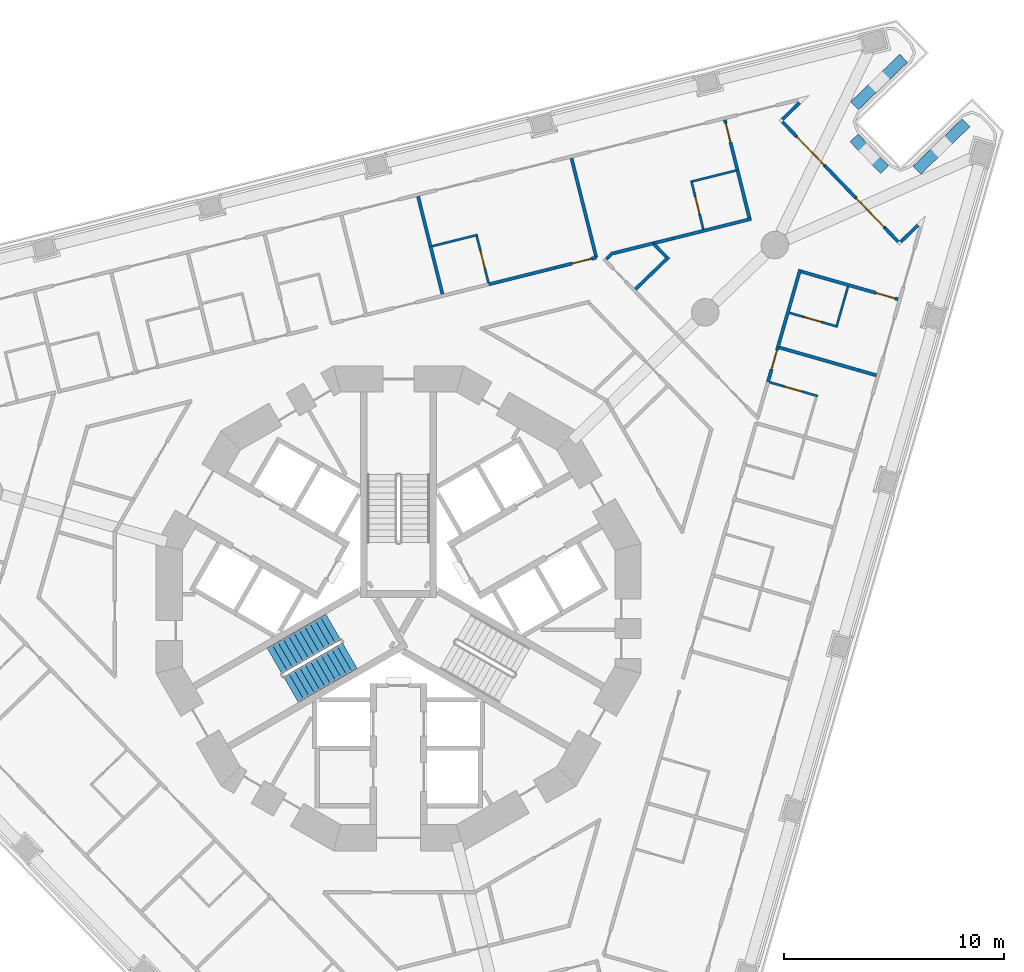
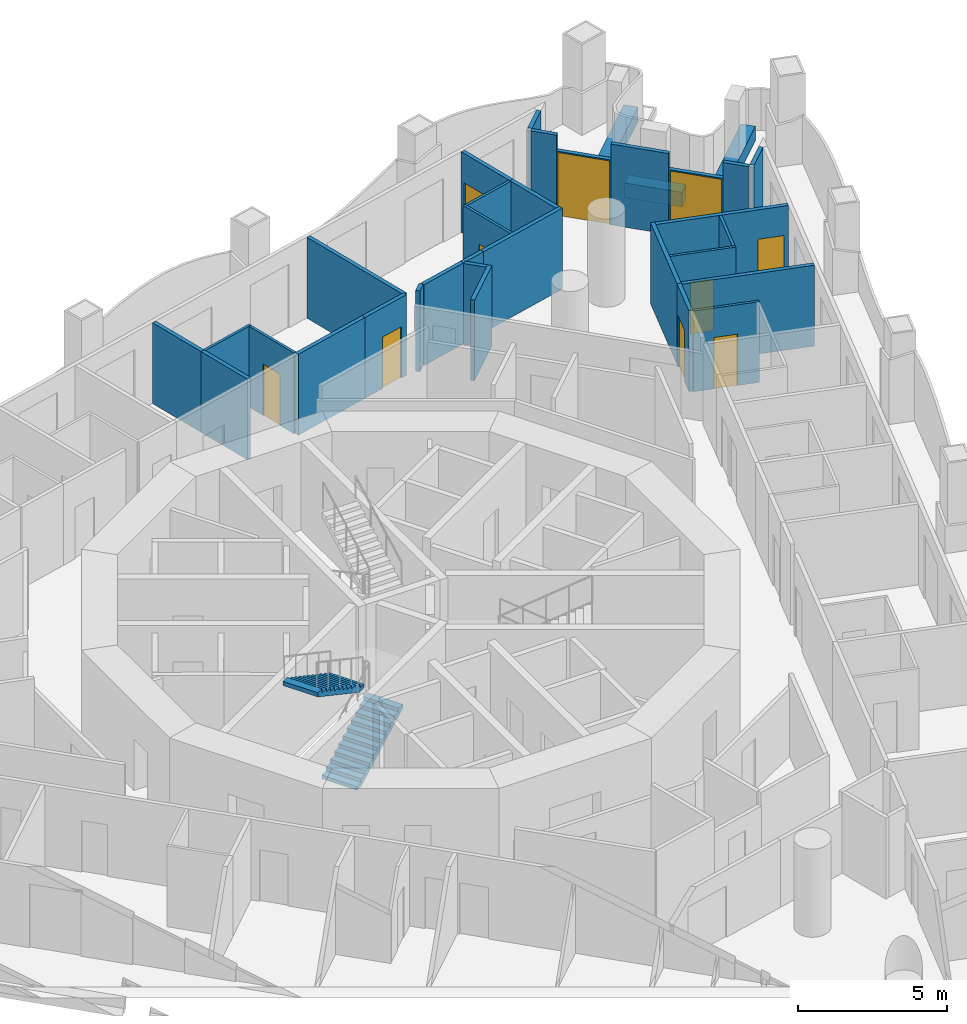
# One storey, part 11 of 20: 34 walls, 10 doors, 2 stair flights, 10 openings, 1 element without a shape of its own.
"""IFC4 building model written with IfcOpenShell, lengths in metres."""

from ifc_helpers import new_model, si_unit, direction, frame, frame_2d, origin, place, context, subcontext, project, spatial, polyline, rectangle, outline, extrude, material, layer, layer_set, type_object, element, fill, aggregate, save


model = new_model("IFC4")

# Units and contexts
model_context = context("Model", 3, precision=1e-05, world=origin(), true_north=direction((0.0, 1.0)))
body_context = subcontext(model_context, "Body", "Model", "MODEL_VIEW")
ifc_project = project(units=[si_unit("LENGTHUNIT", "METRE"), si_unit("AREAUNIT", "SQUARE_METRE"), si_unit("VOLUMEUNIT", "CUBIC_METRE"), si_unit("PLANEANGLEUNIT", "RADIAN"), si_unit("MASSUNIT", "GRAM", prefix="KILO")], contexts=[model_context])

# Site, building, storey
site_placement = place(None, origin())
site = spatial("IfcSite", under=ifc_project, at=site_placement, CompositionType="ELEMENT")
building_placement = place(site_placement, origin())
building = spatial("IfcBuilding", under=site, at=building_placement, Name="Trine Commons Tower", CompositionType="ELEMENT")
storey_placement = place(building_placement, frame((0.0, 0.0, 112.5)))
storey = spatial("IfcBuildingStorey", under=building, at=storey_placement, Name="L28", CompositionType="ELEMENT", Elevation=112.5)

# Walls
ifc_material_1 = material(Name="Aluminium-framed insulated wall panel", Category="aluminium")
ifc_layer_1 = layer(ifc_material_1, 0.14990234375)
ifc_layer_set_1 = layer_set([ifc_layer_1], Name="Aluminium-framed insulated wall panel")
wall_type_1 = type_object("IfcWallType", Name="Glazed frame wall 150, EI 60", PredefinedType="SOLIDWALL", material=ifc_layer_set_1)
wall_1_placement = place(storey_placement, frame((98.3076171875, 85.552490234375, 0.0), z_axis=(0.0, 0.0, 1.0), x_axis=(-0.719251336278, -0.694749966004, 0.0)))
element("IfcWall", 1, at=wall_1_placement, inside=storey, type_object=wall_type_1, Name="Glazed frame wall R5", PredefinedType="SOLIDWALL", context=body_context, shape_type="SweptSolid", body=[
    extrude(outline(polyline([(0.1494140625, 0.074951171875), (0.1494140625, -0.074951171875), (1.235107421875, -0.074951171875), (1.235107421875, 0.074951171875), (0.1494140625, 0.074951171875)])), origin(), (0.0, 0.0, 1.0), 3.300048828125),
])
wall_2_placement = place(storey_placement, frame((97.3408203125, 84.66748046875, 0.0), z_axis=(0.0, 0.0, 1.0), x_axis=(0.694668587965, -0.719329933267, 0.0)))
element("IfcWall", 2, at=wall_2_placement, inside=storey, type_object=wall_type_1, Name="Glazed frame wall P2.1", PredefinedType="SOLIDWALL", context=body_context, shape_type="SweptSolid", body=[
    extrude(outline(polyline([(0.110107421875, -0.074951171875), (1.0, -0.074951171875), (1.0, 0.074951171875), (0.110107421875, 0.074951171875), (0.110107421875, -0.074951171875)])), origin(), (0.0, 0.0, 1.0), 3.300048828125),
])

# Wall, opening, door
wall_3_placement = place(storey_placement, frame((98.035400390625, 83.9482421875, 0.0), z_axis=(0.0, 0.0, 1.0), x_axis=(0.694665586762, -0.719332831566, 0.0)))
wall_3 = element("IfcWall", 3, at=wall_3_placement, inside=storey, type_object=wall_type_1, Name="Glazed frame wall P2.2", PredefinedType="SOLIDWALL", context=body_context, shape_type="SweptSolid", body=[
    extrude(outline(polyline([(0.0, -0.074951171875), (1.89990234375, -0.074951171875), (1.89990234375, 0.074951171875), (0.0, 0.074951171875), (0.0, -0.074951171875)])), origin(), (0.0, 0.0, 1.0), 2.64990234375),
])
opening_1_placement = place(wall_3_placement, frame((0.050048828125, 0.0, 0.0)))
opening_1 = element("IfcOpeningElement", 4, at=opening_1_placement, cuts=wall_3, Name="Opening BD-3P2-01", PredefinedType="OPENING", context=body_context, shape_type="SweptSolid", body=[
    extrude(rectangle(XDim=1.800048828125, YDim=2.60009765625, at=frame_2d((0.89990234375, 1.300048828125))), frame((0.0, 0.0849609375, 0.0), z_axis=(0.0, -1.0, 0.0), x_axis=(1.0, 0.0, 0.0)), (0.0, 0.0, 1.0), 0.169921875),
])
ifc_material_2 = material(Name="Anodised aluminium frame with double glazing", Category="aluminium")
door_type_1 = type_object("IfcDoorType", Name="Sliding loggia door 1800x2600", OperationType="SLIDING_TO_LEFT", PredefinedType="DOOR", material=ifc_material_2)
door_1_placement = place(opening_1_placement, origin())
door_1 = element("IfcDoor", 5, at=door_1_placement, inside=storey, type_object=door_type_1, Name="Loggia door P2 1", OperationType="SLIDING_TO_LEFT", OverallHeight=2.60009765625, OverallWidth=1.800048828125, PredefinedType="DOOR", context=body_context, shape_type="SweptSolid", body=[
    extrude(rectangle(XDim=1.800048828125, YDim=2.60009765625, at=frame_2d((0.89990234375, 1.300048828125))), frame((0.0, 0.02490234375, 0.0), z_axis=(0.0, -1.0, 0.0), x_axis=(1.0, 0.0, 0.0)), (0.0, 0.0, 1.0), 0.050048828125),
])
fill(opening_1, door_1)

# Wall
wall_4_placement = place(storey_placement, frame((99.35546875, 82.581298828125, 0.0), z_axis=(0.0, 0.0, 1.0), x_axis=(0.694668587965, -0.719329933267, 0.0)))
element("IfcWall", 6, at=wall_4_placement, inside=storey, type_object=wall_type_1, Name="Glazed frame wall P2.3", PredefinedType="SOLIDWALL", context=body_context, shape_type="SweptSolid", body=[
    extrude(outline(polyline([(0.0, -0.074951171875), (2.0, -0.074951171875), (2.0, 0.074951171875), (0.0, 0.074951171875), (0.0, -0.074951171875)])), origin(), (0.0, 0.0, 1.0), 3.300048828125),
])

# Wall, opening, door
wall_5_placement = place(storey_placement, frame((100.74462890625, 81.142822265625, 0.0), z_axis=(0.0, 0.0, 1.0), x_axis=(0.694599099672, -0.719397032753, 0.0)))
wall_5 = element("IfcWall", 7, at=wall_5_placement, inside=storey, type_object=wall_type_1, Name="Glazed frame wall P2.4", PredefinedType="SOLIDWALL", context=body_context, shape_type="SweptSolid", body=[
    extrude(outline(polyline([(0.0, -0.074951171875), (1.89990234375, -0.074951171875), (1.89990234375, 0.074951171875), (0.0, 0.074951171875), (0.0, -0.074951171875)])), origin(), (0.0, 0.0, 1.0), 2.64990234375),
])
opening_2_placement = place(wall_5_placement, frame((0.050048828125, 0.0, 0.0)))
opening_2 = element("IfcOpeningElement", 8, at=opening_2_placement, cuts=wall_5, Name="Opening BD-3P2-02", PredefinedType="OPENING", context=body_context, shape_type="SweptSolid", body=[
    extrude(rectangle(XDim=1.800048828125, YDim=2.60009765625, at=frame_2d((0.89990234375, 1.300048828125))), frame((0.0, 0.0849609375, 0.0), z_axis=(0.0, -1.0, 0.0), x_axis=(1.0, 0.0, 0.0)), (0.0, 0.0, 1.0), 0.169921875),
])
door_2_placement = place(opening_2_placement, origin())
door_2 = element("IfcDoor", 9, at=door_2_placement, inside=storey, type_object=door_type_1, Name="Loggia door P2 2", OperationType="SLIDING_TO_LEFT", OverallHeight=2.60009765625, OverallWidth=1.800048828125, PredefinedType="DOOR", context=body_context, shape_type="SweptSolid", body=[
    extrude(rectangle(XDim=1.800048828125, YDim=2.60009765625, at=frame_2d((0.89990234375, 1.300048828125))), frame((0.0, 0.02490234375, 0.0), z_axis=(0.0, -1.0, 0.0), x_axis=(1.0, 0.0, 0.0)), (0.0, 0.0, 1.0), 0.050048828125),
])
fill(opening_2, door_2)

# Walls
wall_6_placement = place(storey_placement, frame((102.064453125, 79.77587890625, 0.0), z_axis=(0.0, 0.0, 1.0), x_axis=(0.694794898962, -0.719207931252, 0.0)))
element("IfcWall", 10, at=wall_6_placement, inside=storey, type_object=wall_type_1, Name="Glazed frame wall P2.5", PredefinedType="SOLIDWALL", context=body_context, shape_type="SweptSolid", body=[
    extrude(outline(polyline([(0.889892578125, 0.074951171875), (0.0, 0.074951171875), (0.0, -0.074951171875), (0.889892578125, -0.074951171875), (0.889892578125, 0.074951171875)])), origin(), (0.0, 0.0, 1.0), 3.300048828125),
])
wall_7_placement = place(storey_placement, frame((102.709716796875, 79.0576171875, 0.0), z_axis=(0.0, 0.0, 1.0), x_axis=(0.719342032924, 0.694656058542, 0.0)))
element("IfcWall", 11, at=wall_7_placement, inside=storey, type_object=wall_type_1, Name="Glazed frame wall R7", PredefinedType="SOLIDWALL", context=body_context, shape_type="SweptSolid", body=[
    extrude(outline(polyline([(0.110107421875, 0.074951171875), (0.110107421875, -0.074951171875), (1.19580078125, -0.074951171875), (1.19580078125, 0.074951171875), (0.110107421875, 0.074951171875)])), origin(), (0.0, 0.0, 1.0), 3.300048828125),
])
ifc_material_3 = material(Name="Planter trough, precast concrete C40/50", Category="concrete")
ifc_layer_2 = layer(ifc_material_3, 0.5)
ifc_layer_set_2 = layer_set([ifc_layer_2], Name="Planter trough, precast concrete C40/50")
wall_type_2 = type_object("IfcWallType", Name="Planter trough 500x600", PredefinedType="PARAPET", material=ifc_layer_set_2)
wall_8_placement = place(storey_placement, frame((102.923828125, 87.47314453125, 0.0), z_axis=(0.0, 0.0, 1.0), x_axis=(-0.719324109218, -0.694674618723, 0.0)))
element("IfcWall", 12, at=wall_8_placement, inside=storey, type_object=wall_type_2, Name="Planter 4", PredefinedType="PARAPET", context=body_context, shape_type="SweptSolid", body=[
    extrude(rectangle(XDim=3.10009765625, YDim=0.5, at=frame_2d((1.550048828125, 0.0))), origin(), (0.0, 0.0, 1.0), 0.60009765625),
])
wall_9_placement = place(storey_placement, frame((100.668212890625, 83.84912109375, 0.0), z_axis=(0.0, 0.0, 1.0), x_axis=(0.694731751498, -0.719268929859, 0.0)))
element("IfcWall", 13, at=wall_9_placement, inside=storey, type_object=wall_type_2, Name="Planter 5", PredefinedType="PARAPET", context=body_context, shape_type="SweptSolid", body=[
    extrude(rectangle(XDim=2.0, YDim=0.5, at=frame_2d((1.0, 0.0))), origin(), (0.0, 0.0, 1.0), 0.60009765625),
])
wall_10_placement = place(storey_placement, frame((103.528076171875, 82.385009765625, 0.0), z_axis=(0.0, 0.0, 1.0), x_axis=(0.719363462475, 0.694633866765, 0.0)))
element("IfcWall", 14, at=wall_10_placement, inside=storey, type_object=wall_type_2, Name="Planter 6", PredefinedType="PARAPET", context=body_context, shape_type="SweptSolid", body=[
    extrude(rectangle(XDim=3.099853515625, YDim=0.5, at=frame_2d((1.5498046875, 0.0))), origin(), (0.0, 0.0, 1.0), 0.60009765625),
])
ifc_material_4 = material(Name="Gypsum plasterboard on steel stud", Category="steel")
ifc_layer_3 = layer(ifc_material_4, 0.14990234375)
ifc_layer_set_3 = layer_set([ifc_layer_3], Name="Gypsum plasterboard on steel stud")
wall_type_3 = type_object("IfcWallType", Name="Unit and corridor wall 150 mm, EI 60", PredefinedType="PARTITIONING", material=ifc_layer_set_3)
wall_11_placement = place(storey_placement, frame((80.8857421875, 81.1982421875, 0.0), z_axis=(0.0, 0.0, 1.0), x_axis=(0.242047152862, -0.970264487545, 0.0)))
element("IfcWall", 15, at=wall_11_placement, inside=storey, type_object=wall_type_3, Name="Partition 072", PredefinedType="PARTITIONING", context=body_context, shape_type="SweptSolid", body=[
    extrude(rectangle(XDim=2.35205078125, YDim=0.14990234375, at=frame_2d((1.176025390625, 0.0))), origin(), (0.0, 0.0, 1.0), 3.300048828125),
])
wall_12_placement = place(storey_placement, frame((81.452880859375, 78.924072265625, 0.0), z_axis=(0.0, 0.0, 1.0), x_axis=(0.241891147117, -0.970303392216, 0.0)))
element("IfcWall", 16, at=wall_12_placement, inside=storey, type_object=wall_type_3, Name="Partition 076", PredefinedType="PARTITIONING", context=body_context, shape_type="SweptSolid", body=[
    extrude(rectangle(XDim=2.228515625, YDim=0.14990234375, at=frame_2d((1.1142578125, 0.0))), origin(), (0.0, 0.0, 1.0), 3.300048828125),
])
wall_13_placement = place(storey_placement, frame((84.092041015625, 77.2080078125, 0.0), z_axis=(0.0, 0.0, 1.0), x_axis=(0.970276558839, 0.24199875902, 0.0)))
element("IfcWall", 17, at=wall_13_placement, inside=storey, type_object=wall_type_3, Name="Partition 087", PredefinedType="PARTITIONING", context=body_context, shape_type="SweptSolid", body=[
    extrude(rectangle(XDim=3.103271484375, YDim=0.14990234375, at=frame_2d((1.5517578125, 0.0))), origin(), (0.0, 0.0, 1.0), 3.300048828125),
])

# Wall, opening, door
wall_14_placement = place(storey_placement, frame((87.10302734375, 77.958984375, 0.0), z_axis=(0.0, 0.0, 1.0), x_axis=(0.970439241323, 0.241345559105, 0.0)))
wall_14 = element("IfcWall", 18, at=wall_14_placement, inside=storey, type_object=wall_type_3, Name="Partition 097", PredefinedType="PARTITIONING", context=body_context, shape_type="SweptSolid", body=[
    extrude(rectangle(XDim=1.93115234375, YDim=0.14990234375, at=frame_2d((0.965576171875, 0.0))), origin(), (0.0, 0.0, 1.0), 3.300048828125),
])
opening_3_placement = place(wall_14_placement, frame((0.804443359375, 0.0, 0.0)))
opening_3 = element("IfcOpeningElement", 19, at=opening_3_placement, cuts=wall_14, Name="Opening D-3C14", PredefinedType="OPENING", context=body_context, shape_type="SweptSolid", body=[
    extrude(rectangle(XDim=0.89990234375, YDim=2.10009765625, at=frame_2d((0.449951171875, 1.050048828125))), frame((0.0, 0.0849609375, 0.0), z_axis=(0.0, -1.0, 0.0), x_axis=(1.0, 0.0, 0.0)), (0.0, 0.0, 1.0), 0.169921875),
])
ifc_material_5 = material(Name="Timber fire door set", Category="wood")
door_type_2 = type_object("IfcDoorType", Name="Bedroom door 900 x 2100, FD30S", OperationType="NOTDEFINED", PredefinedType="DOOR", material=ifc_material_5)
door_3_placement = place(opening_3_placement, origin())
door_3 = element("IfcDoor", 20, at=door_3_placement, inside=storey, type_object=door_type_2, Name="Door D-3C14", OperationType="SINGLE_SWING_RIGHT", OverallHeight=2.10009765625, OverallWidth=0.89990234375, PredefinedType="DOOR", context=body_context, shape_type="SweptSolid", body=[
    extrude(rectangle(XDim=0.89990234375, YDim=2.10009765625, at=frame_2d((0.449951171875, 1.050048828125))), frame((0.0, 0.02490234375, 0.0), z_axis=(0.0, -1.0, 0.0), x_axis=(1.0, 0.0, 0.0)), (0.0, 0.0, 1.0), 0.050048828125),
])
fill(opening_3, door_3)

# Walls
wall_15_placement = place(storey_placement, frame((87.8486328125, 82.93408203125, 0.0), z_axis=(0.0, 0.0, 1.0), x_axis=(0.24192986462, -0.970293739341, 0.0)))
element("IfcWall", 21, at=wall_15_placement, inside=storey, type_object=wall_type_3, Name="Partition 103", PredefinedType="PARTITIONING", context=body_context, shape_type="SweptSolid", body=[
    extrude(rectangle(XDim=4.64697265625, YDim=0.14990234375, at=frame_2d((2.323486328125, 0.0))), origin(), (0.0, 0.0, 1.0), 3.300048828125),
])
wall_16_placement = place(storey_placement, frame((89.431884765625, 78.354248046875, 0.0), z_axis=(0.0, 0.0, 1.0), x_axis=(0.71857486408, 0.695449613352, 0.0)))
element("IfcWall", 22, at=wall_16_placement, inside=storey, type_object=wall_type_3, Name="Partition 113", PredefinedType="PARTITIONING", context=body_context, shape_type="SweptSolid", body=[
    extrude(rectangle(XDim=0.432861328125, YDim=0.14990234375, at=frame_2d((0.21630859375, 0.0))), origin(), (0.0, 0.0, 1.0), 3.300048828125),
])
wall_17_placement = place(storey_placement, frame((89.76171875, 78.62109375, 0.0), z_axis=(0.0, 0.0, 1.0), x_axis=(0.970212352615, 0.242256043958, 0.0)))
element("IfcWall", 23, at=wall_17_placement, inside=storey, type_object=wall_type_3, Name="Partition 116", PredefinedType="PARTITIONING", context=body_context, shape_type="SweptSolid", body=[
    extrude(rectangle(XDim=1.849365234375, YDim=0.14990234375, at=frame_2d((0.9248046875, 0.0))), origin(), (0.0, 0.0, 1.0), 3.300048828125),
])
wall_18_placement = place(storey_placement, frame((90.751953125, 76.987060546875, 0.0), z_axis=(0.0, 0.0, 1.0), x_axis=(0.719152982376, 0.694851774079, 0.0)))
element("IfcWall", 24, at=wall_18_placement, inside=storey, type_object=wall_type_3, Name="Partition 120", PredefinedType="PARTITIONING", context=body_context, shape_type="SweptSolid", body=[
    extrude(rectangle(XDim=2.099609375, YDim=0.14990234375, at=frame_2d((1.0498046875, 0.0))), origin(), (0.0, 0.0, 1.0), 3.300048828125),
])
wall_19_placement = place(storey_placement, frame((91.608154296875, 79.01513671875, 0.0), z_axis=(0.0, 0.0, 1.0), x_axis=(0.694771305492, -0.71923072311, 0.0)))
element("IfcWall", 25, at=wall_19_placement, inside=storey, type_object=wall_type_3, Name="Partition 123", PredefinedType="PARTITIONING", context=body_context, shape_type="SweptSolid", body=[
    extrude(rectangle(XDim=0.78857421875, YDim=0.14990234375, at=frame_2d((0.394287109375, 0.0))), origin(), (0.0, 0.0, 1.0), 3.300048828125),
])
wall_20_placement = place(storey_placement, frame((91.555908203125, 79.069091796875, 0.0), z_axis=(0.0, 0.0, 1.0), x_axis=(0.970312917643, 0.241852934351, 0.0)))
element("IfcWall", 26, at=wall_20_placement, inside=storey, type_object=wall_type_3, Name="Partition 124", PredefinedType="PARTITIONING", context=body_context, shape_type="SweptSolid", body=[
    extrude(rectangle(XDim=0.92578125, YDim=0.14990234375, at=frame_2d((0.462890625, 0.0))), origin(), (0.0, 0.0, 1.0), 3.300048828125),
])
wall_21_placement = place(storey_placement, frame((92.4541015625, 79.29296875, 0.0), z_axis=(0.0, 0.0, 1.0), x_axis=(0.970299100739, 0.241908360967, 0.0)))
element("IfcWall", 27, at=wall_21_placement, inside=storey, type_object=wall_type_3, Name="Partition 126", PredefinedType="PARTITIONING", context=body_context, shape_type="SweptSolid", body=[
    extrude(rectangle(XDim=3.66357421875, YDim=0.14990234375, at=frame_2d((1.831787109375, 0.0))), origin(), (0.0, 0.0, 1.0), 3.300048828125),
])

# Wall, opening, door
wall_22_placement = place(storey_placement, frame((94.811767578125, 84.671142578125, 0.0), z_axis=(0.0, 0.0, 1.0), x_axis=(0.24200944289, -0.97027389409, 0.0)))
wall_22 = element("IfcWall", 28, at=wall_22_placement, inside=storey, type_object=wall_type_3, Name="Partition 140", PredefinedType="PARTITIONING", context=body_context, shape_type="SweptSolid", body=[
    extrude(rectangle(XDim=2.40185546875, YDim=0.14990234375, at=frame_2d((1.200927734375, 0.0))), origin(), (0.0, 0.0, 1.0), 3.300048828125),
])
opening_4_placement = place(wall_22_placement, frame((0.14990234375, 0.0, 0.0)))
opening_4 = element("IfcOpeningElement", 29, at=opening_4_placement, cuts=wall_22, Name="Opening D-3C15", PredefinedType="OPENING", context=body_context, shape_type="SweptSolid", body=[
    extrude(rectangle(XDim=0.89990234375, YDim=2.10009765625, at=frame_2d((0.449951171875, 1.050048828125))), frame((0.0, 0.0849609375, 0.0), z_axis=(0.0, -1.0, 0.0), x_axis=(1.0, 0.0, 0.0)), (0.0, 0.0, 1.0), 0.169921875),
])
door_4_placement = place(opening_4_placement, frame((0.89990234375, 0.0, 0.0), z_axis=(0.0, 0.0, 1.0), x_axis=(-1.0, 0.0, 0.0)))
door_4 = element("IfcDoor", 30, at=door_4_placement, inside=storey, type_object=door_type_2, Name="Door D-3C15", OperationType="SINGLE_SWING_RIGHT", OverallHeight=2.10009765625, OverallWidth=0.89990234375, PredefinedType="DOOR", context=body_context, shape_type="SweptSolid", body=[
    extrude(rectangle(XDim=0.89990234375, YDim=2.10009765625, at=frame_2d((0.449951171875, 1.050048828125))), frame((0.0, 0.02490234375, 0.0), z_axis=(0.0, -1.0, 0.0), x_axis=(1.0, 0.0, 0.0)), (0.0, 0.0, 1.0), 0.050048828125),
])
fill(opening_4, door_4)

# Wall
wall_23_placement = place(storey_placement, frame((95.37890625, 82.39697265625, 0.0), z_axis=(0.0, 0.0, 1.0), x_axis=(0.241814032712, -0.970322613147, 0.0)))
element("IfcWall", 31, at=wall_23_placement, inside=storey, type_object=wall_type_3, Name="Partition 142", PredefinedType="PARTITIONING", context=body_context, shape_type="SweptSolid", body=[
    extrude(rectangle(XDim=2.229248046875, YDim=0.14990234375, at=frame_2d((1.11474609375, 0.0))), origin(), (0.0, 0.0, 1.0), 3.300048828125),
])

# Wall, opening, door
wall_24_placement = place(storey_placement, frame((96.764892578125, 72.781982421875, 0.0), z_axis=(0.0, 0.0, 1.0), x_axis=(0.275428171862, 0.961321653842, 0.0)))
wall_24 = element("IfcWall", 32, at=wall_24_placement, inside=storey, type_object=wall_type_3, Name="Partition 149", PredefinedType="PARTITIONING", context=body_context, shape_type="SweptSolid", body=[
    extrude(rectangle(XDim=1.6416015625, YDim=0.14990234375, at=frame_2d((0.82080078125, 0.0))), origin(), (0.0, 0.0, 1.0), 3.300048828125),
])
opening_5_placement = place(wall_24_placement, frame((0.591552734375, 0.0, 0.0)))
opening_5 = element("IfcOpeningElement", 33, at=opening_5_placement, cuts=wall_24, Name="Opening D-3C17", PredefinedType="OPENING", context=body_context, shape_type="SweptSolid", body=[
    extrude(rectangle(XDim=0.89990234375, YDim=2.10009765625, at=frame_2d((0.449951171875, 1.050048828125))), frame((0.0, 0.0849609375, 0.0), z_axis=(0.0, -1.0, 0.0), x_axis=(1.0, 0.0, 0.0)), (0.0, 0.0, 1.0), 0.169921875),
])
door_5_placement = place(opening_5_placement, frame((0.89990234375, 0.0, 0.0), z_axis=(0.0, 0.0, 1.0), x_axis=(-1.0, 0.0, 0.0)))
door_5 = element("IfcDoor", 34, at=door_5_placement, inside=storey, type_object=door_type_2, Name="Door D-3C17", OperationType="SINGLE_SWING_LEFT", OverallHeight=2.10009765625, OverallWidth=0.89990234375, PredefinedType="DOOR", context=body_context, shape_type="SweptSolid", body=[
    extrude(rectangle(XDim=0.89990234375, YDim=2.10009765625, at=frame_2d((0.449951171875, 1.050048828125))), frame((0.0, 0.02490234375, 0.0), z_axis=(0.0, -1.0, 0.0), x_axis=(1.0, 0.0, 0.0)), (0.0, 0.0, 1.0), 0.050048828125),
])
fill(opening_5, door_5)

# Walls
wall_25_placement = place(storey_placement, frame((97.217041015625, 74.360107421875, 0.0), z_axis=(0.0, 0.0, 1.0), x_axis=(0.275601093683, 0.961272093198, 0.0)))
element("IfcWall", 35, at=wall_25_placement, inside=storey, type_object=wall_type_3, Name="Partition 151", PredefinedType="PARTITIONING", context=body_context, shape_type="SweptSolid", body=[
    extrude(rectangle(XDim=3.663818359375, YDim=0.14990234375, at=frame_2d((1.83203125, 0.0))), origin(), (0.0, 0.0, 1.0), 3.300048828125),
])
wall_26_placement = place(storey_placement, frame((97.2890625, 74.33935546875, 0.0), z_axis=(0.0, 0.0, 1.0), x_axis=(0.961269673231, -0.275609534171, 0.0)))
element("IfcWall", 36, at=wall_26_placement, inside=storey, type_object=wall_type_3, Name="Partition 152", PredefinedType="PARTITIONING", context=body_context, shape_type="SweptSolid", body=[
    extrude(rectangle(XDim=4.572509765625, YDim=0.14990234375, at=frame_2d((2.2861328125, 0.0))), origin(), (0.0, 0.0, 1.0), 3.300048828125),
])

# Wall, opening, door
wall_27_placement = place(storey_placement, frame((98.278076171875, 77.789306640625, 0.0), z_axis=(0.0, 0.0, 1.0), x_axis=(0.961269673231, -0.275609534171, 0.0)))
wall_27 = element("IfcWall", 37, at=wall_27_placement, inside=storey, type_object=wall_type_3, Name="Partition 155", PredefinedType="PARTITIONING", context=body_context, shape_type="SweptSolid", body=[
    extrude(rectangle(XDim=4.572509765625, YDim=0.14990234375, at=frame_2d((2.2861328125, 0.0))), origin(), (0.0, 0.0, 1.0), 3.300048828125),
])
opening_6_placement = place(wall_27_placement, frame((3.522705078125, 0.0, 0.0)))
opening_6 = element("IfcOpeningElement", 38, at=opening_6_placement, cuts=wall_27, Name="Opening D-3C16", PredefinedType="OPENING", context=body_context, shape_type="SweptSolid", body=[
    extrude(rectangle(XDim=0.89990234375, YDim=2.10009765625, at=frame_2d((0.449951171875, 1.050048828125))), frame((0.0, 0.0849609375, 0.0), z_axis=(0.0, -1.0, 0.0), x_axis=(1.0, 0.0, 0.0)), (0.0, 0.0, 1.0), 0.169921875),
])
door_6_placement = place(opening_6_placement, frame((0.89990234375, 0.0, 0.0), z_axis=(0.0, 0.0, 1.0), x_axis=(-1.0, 0.0, 0.0)))
door_6 = element("IfcDoor", 39, at=door_6_placement, inside=storey, type_object=door_type_2, Name="Door D-3C16", OperationType="SINGLE_SWING_LEFT", OverallHeight=2.10009765625, OverallWidth=0.89990234375, PredefinedType="DOOR", context=body_context, shape_type="SweptSolid", body=[
    extrude(rectangle(XDim=0.89990234375, YDim=2.10009765625, at=frame_2d((0.449951171875, 1.050048828125))), frame((0.0, 0.02490234375, 0.0), z_axis=(0.0, -1.0, 0.0), x_axis=(1.0, 0.0, 0.0)), (0.0, 0.0, 1.0), 0.050048828125),
])
fill(opening_6, door_6)

# Wall
ifc_layer_4 = layer(ifc_material_4, 0.10009765625)
ifc_layer_set_4 = layer_set([ifc_layer_4], Name="Gypsum plasterboard on steel stud")
wall_type_4 = type_object("IfcWallType", Name="Unit partition 100 mm, no rating", PredefinedType="PARTITIONING", material=ifc_layer_set_4)
wall_28_placement = place(storey_placement, frame((81.52587890625, 78.938232421875, 0.0), z_axis=(0.0, 0.0, 1.0), x_axis=(0.970196545564, 0.242319340904, 0.0)))
element("IfcWall", 40, at=wall_28_placement, inside=storey, type_object=wall_type_4, Name="Partition 075", PredefinedType="PARTITIONING", context=body_context, shape_type="SweptSolid", body=[
    extrude(rectangle(XDim=2.124755859375, YDim=0.10009765625, at=frame_2d((1.0625, 0.0))), origin(), (0.0, 0.0, 1.0), 3.300048828125),
])

# Wall, opening, door
wall_29_placement = place(storey_placement, frame((83.551025390625, 79.392578125, 0.0), z_axis=(0.0, 0.0, 1.0), x_axis=(0.242165948891, -0.970234844353, 0.0)))
wall_29 = element("IfcWall", 41, at=wall_29_placement, inside=storey, type_object=wall_type_4, Name="Partition 082", PredefinedType="PARTITIONING", context=body_context, shape_type="SweptSolid", body=[
    extrude(rectangle(XDim=2.175537109375, YDim=0.10009765625, at=frame_2d((1.087890625, 0.0))), origin(), (0.0, 0.0, 1.0), 3.300048828125),
])
opening_7_placement = place(wall_29_placement, frame((0.687744140625, 0.0, 0.0)))
opening_7 = element("IfcOpeningElement", 42, at=opening_7_placement, cuts=wall_29, Name="Opening D-3C49", PredefinedType="OPENING", context=body_context, shape_type="SweptSolid", body=[
    extrude(rectangle(XDim=0.800048828125, YDim=2.10009765625, at=frame_2d((0.39990234375, 1.050048828125))), frame((0.0, 0.06005859375, 0.0), z_axis=(0.0, -1.0, 0.0), x_axis=(1.0, 0.0, 0.0)), (0.0, 0.0, 1.0), 0.1201171875),
])
ifc_material_6 = material(Name="Painted timber", Category="wood")
door_type_3 = type_object("IfcDoorType", Name="Internal door 800 x 2100, NOT RATED", OperationType="NOTDEFINED", PredefinedType="DOOR", material=ifc_material_6)
door_7_placement = place(opening_7_placement, origin())
door_7 = element("IfcDoor", 43, at=door_7_placement, inside=storey, type_object=door_type_3, Name="Door D-3C49", OperationType="SINGLE_SWING_RIGHT", OverallHeight=2.10009765625, OverallWidth=0.800048828125, PredefinedType="DOOR", context=body_context, shape_type="SweptSolid", body=[
    extrude(rectangle(XDim=0.800048828125, YDim=2.10009765625, at=frame_2d((0.39990234375, 1.050048828125))), frame((0.0, 0.02490234375, 0.0), z_axis=(0.0, -1.0, 0.0), x_axis=(1.0, 0.0, 0.0)), (0.0, 0.0, 1.0), 0.050048828125),
])
fill(opening_7, door_7)

wall_30_placement = place(storey_placement, frame((93.281982421875, 81.92041015625, 0.0), z_axis=(0.0, 0.0, 1.0), x_axis=(0.241777706381, -0.970331665307, 0.0)))
wall_30 = element("IfcWall", 44, at=wall_30_placement, inside=storey, type_object=wall_type_4, Name="Partition 132", PredefinedType="PARTITIONING", context=body_context, shape_type="SweptSolid", body=[
    extrude(rectangle(XDim=2.27392578125, YDim=0.10009765625, at=frame_2d((1.136962890625, 0.0))), origin(), (0.0, 0.0, 1.0), 3.300048828125),
])
opening_8_placement = place(wall_30_placement, frame((0.76220703125, 0.0, 0.0)))
opening_8 = element("IfcOpeningElement", 45, at=opening_8_placement, cuts=wall_30, Name="Opening D-3C50", PredefinedType="OPENING", context=body_context, shape_type="SweptSolid", body=[
    extrude(rectangle(XDim=0.800048828125, YDim=2.10009765625, at=frame_2d((0.39990234375, 1.050048828125))), frame((0.0, 0.06005859375, 0.0), z_axis=(0.0, -1.0, 0.0), x_axis=(1.0, 0.0, 0.0)), (0.0, 0.0, 1.0), 0.1201171875),
])
door_8_placement = place(opening_8_placement, frame((0.800048828125, 0.0, 0.0), z_axis=(0.0, 0.0, 1.0), x_axis=(-1.0, 0.0, 0.0)))
door_8 = element("IfcDoor", 46, at=door_8_placement, inside=storey, type_object=door_type_3, Name="Door D-3C50", OperationType="SINGLE_SWING_LEFT", OverallHeight=2.10009765625, OverallWidth=0.800048828125, PredefinedType="DOOR", context=body_context, shape_type="SweptSolid", body=[
    extrude(rectangle(XDim=0.800048828125, YDim=2.10009765625, at=frame_2d((0.39990234375, 1.050048828125))), frame((0.0, 0.02490234375, 0.0), z_axis=(0.0, -1.0, 0.0), x_axis=(1.0, 0.0, 0.0)), (0.0, 0.0, 1.0), 0.050048828125),
])
fill(opening_8, door_8)

# Wall
wall_31_placement = place(storey_placement, frame((93.342529296875, 81.884033203125, 0.0), z_axis=(0.0, 0.0, 1.0), x_axis=(0.970192124519, 0.242337041168, 0.0)))
element("IfcWall", 47, at=wall_31_placement, inside=storey, type_object=wall_type_4, Name="Partition 133", PredefinedType="PARTITIONING", context=body_context, shape_type="SweptSolid", body=[
    extrude(rectangle(XDim=2.02490234375, YDim=0.10009765625, at=frame_2d((1.012451171875, 0.0))), origin(), (0.0, 0.0, 1.0), 3.300048828125),
])

# Wall, opening, door
wall_32_placement = place(storey_placement, frame((96.838134765625, 72.765380859375, 0.0), z_axis=(0.0, 0.0, 1.0), x_axis=(0.961219536458, -0.275784340983, 0.0)))
wall_32 = element("IfcWall", 48, at=wall_32_placement, inside=storey, type_object=wall_type_4, Name="Partition 150", PredefinedType="PARTITIONING", context=body_context, shape_type="SweptSolid", body=[
    extrude(rectangle(XDim=2.274169921875, YDim=0.10009765625, at=frame_2d((1.13720703125, 0.0))), origin(), (0.0, 0.0, 1.0), 3.300048828125),
])
opening_9_placement = place(wall_32_placement, frame((0.7119140625, 0.0, 0.0)))
opening_9 = element("IfcOpeningElement", 49, at=opening_9_placement, cuts=wall_32, Name="Opening D-3C52", PredefinedType="OPENING", context=body_context, shape_type="SweptSolid", body=[
    extrude(rectangle(XDim=0.800048828125, YDim=2.10009765625, at=frame_2d((0.39990234375, 1.050048828125))), frame((0.0, 0.06005859375, 0.0), z_axis=(0.0, -1.0, 0.0), x_axis=(1.0, 0.0, 0.0)), (0.0, 0.0, 1.0), 0.1201171875),
])
door_9_placement = place(opening_9_placement, origin())
door_9 = element("IfcDoor", 50, at=door_9_placement, inside=storey, type_object=door_type_3, Name="Door D-3C52", OperationType="SINGLE_SWING_LEFT", OverallHeight=2.10009765625, OverallWidth=0.800048828125, PredefinedType="DOOR", context=body_context, shape_type="SweptSolid", body=[
    extrude(rectangle(XDim=0.800048828125, YDim=2.10009765625, at=frame_2d((0.39990234375, 1.050048828125))), frame((0.0, 0.02490234375, 0.0), z_axis=(0.0, -1.0, 0.0), x_axis=(1.0, 0.0, 0.0)), (0.0, 0.0, 1.0), 0.050048828125),
])
fill(opening_9, door_9)

wall_33_placement = place(storey_placement, frame((97.7412109375, 75.914306640625, 0.0), z_axis=(0.0, 0.0, 1.0), x_axis=(0.961244019441, -0.27569899363, 0.0)))
wall_33 = element("IfcWall", 51, at=wall_33_placement, inside=storey, type_object=wall_type_4, Name="Partition 153", PredefinedType="PARTITIONING", context=body_context, shape_type="SweptSolid", body=[
    extrude(rectangle(XDim=2.27490234375, YDim=0.10009765625, at=frame_2d((1.137451171875, 0.0))), origin(), (0.0, 0.0, 1.0), 3.300048828125),
])
opening_10_placement = place(wall_33_placement, frame((0.71240234375, 0.0, 0.0)))
opening_10 = element("IfcOpeningElement", 52, at=opening_10_placement, cuts=wall_33, Name="Opening D-3C51", PredefinedType="OPENING", context=body_context, shape_type="SweptSolid", body=[
    extrude(rectangle(XDim=0.800048828125, YDim=2.10009765625, at=frame_2d((0.39990234375, 1.050048828125))), frame((0.0, 0.06005859375, 0.0), z_axis=(0.0, -1.0, 0.0), x_axis=(1.0, 0.0, 0.0)), (0.0, 0.0, 1.0), 0.1201171875),
])
door_10_placement = place(opening_10_placement, frame((0.800048828125, 0.0, 0.0), z_axis=(0.0, 0.0, 1.0), x_axis=(-1.0, 0.0, 0.0)))
door_10 = element("IfcDoor", 53, at=door_10_placement, inside=storey, type_object=door_type_3, Name="Door D-3C51", OperationType="SINGLE_SWING_RIGHT", OverallHeight=2.10009765625, OverallWidth=0.800048828125, PredefinedType="DOOR", context=body_context, shape_type="SweptSolid", body=[
    extrude(rectangle(XDim=0.800048828125, YDim=2.10009765625, at=frame_2d((0.39990234375, 1.050048828125))), frame((0.0, 0.02490234375, 0.0), z_axis=(0.0, -1.0, 0.0), x_axis=(1.0, 0.0, 0.0)), (0.0, 0.0, 1.0), 0.050048828125),
])
fill(opening_10, door_10)

# Wall
wall_34_placement = place(storey_placement, frame((99.893798828125, 75.34912109375, 0.0), z_axis=(0.0, 0.0, 1.0), x_axis=(0.275374633487, 0.961336991503, 0.0)))
element("IfcWall", 54, at=wall_34_placement, inside=storey, type_object=wall_type_4, Name="Partition 156", PredefinedType="PARTITIONING", context=body_context, shape_type="SweptSolid", body=[
    extrude(rectangle(XDim=1.825439453125, YDim=0.10009765625, at=frame_2d((0.91259765625, 0.0))), origin(), (0.0, 0.0, 1.0), 3.300048828125),
])

# Stair, stair flights
ifc_material_7 = material(Name="Concrete C50/60", Category="concrete")
stair_type = type_object("IfcStairType", Name="Exit stair, dog-leg, 24 risers of 150 mm", PredefinedType="HALF_TURN_STAIR", material=ifc_material_7)
stair_placement = place(storey_placement, origin())
stair = element("IfcStair", 55, at=stair_placement, inside=storey, type_object=stair_type, Name="L28 Exit stair ST2A", PredefinedType="HALF_TURN_STAIR")
stair_flight_type = type_object("IfcStairFlightType", Name="Stair flight, 1350 wide, 12 risers of 150 mm", PredefinedType="STRAIGHT", material=ifc_material_7)
stair_flight_1_placement = place(storey_placement, frame((75.11767578125, 58.815185546875, 0.0), z_axis=(0.0, 0.0, 1.0), x_axis=(0.866025403784, 0.5, 0.0)))
stair_flight_1 = element("IfcStairFlight", 56, at=stair_flight_1_placement, type_object=stair_flight_type, Name="ST2A flight 1", NumberOfRisers=12, NumberOfTreads=11, PredefinedType="STRAIGHT", RiserHeight=0.15, TreadLength=0.28, context=body_context, shape_type="SweptSolid", body=[
    extrude(outline(polyline([(0.0, 0.0), (0.0, 0.14990234375), (0.280029296875, 0.14990234375), (0.280029296875, 0.300048828125), (0.56005859375, 0.300048828125), (0.56005859375, 0.449951171875), (0.840087890625, 0.449951171875), (0.840087890625, 0.60009765625), (1.1201171875, 0.60009765625), (1.1201171875, 0.75), (1.39990234375, 0.75), (1.39990234375, 0.89990234375), (1.679931640625, 0.89990234375), (1.679931640625, 1.050048828125), (1.9599609375, 1.050048828125), (1.9599609375, 1.199951171875), (2.239990234375, 1.199951171875), (2.239990234375, 1.35009765625), (2.52001953125, 1.35009765625), (2.52001953125, 1.5), (2.800048828125, 1.5), (2.800048828125, 1.64990234375), (3.080078125, 1.64990234375), (3.080078125, 1.800048828125), (3.080078125, 1.47998046875), (0.3173828125, 0.0), (0.0, 0.0)])), frame((0.0, 0.675048828125, 0.0), z_axis=(0.0, -1.0, 0.0), x_axis=(1.0, 0.0, 0.0)), (0.0, 0.0, 1.0), 1.35009765625),
])
stair_flight_2_placement = place(storey_placement, frame((77.03515625, 61.654296875, 1.800048828125), z_axis=(0.0, 0.0, 1.0), x_axis=(-0.866025403784, -0.5, 0.0)))
stair_flight_2 = element("IfcStairFlight", 57, at=stair_flight_2_placement, type_object=stair_flight_type, Name="ST2A flight 2", NumberOfRisers=12, NumberOfTreads=11, PredefinedType="STRAIGHT", RiserHeight=0.15, TreadLength=0.28, context=body_context, shape_type="SweptSolid", body=[
    extrude(outline(polyline([(0.0, 0.0), (0.0, 0.14990234375), (0.280029296875, 0.14990234375), (0.280029296875, 0.300048828125), (0.56005859375, 0.300048828125), (0.56005859375, 0.449951171875), (0.840087890625, 0.449951171875), (0.840087890625, 0.60009765625), (1.1201171875, 0.60009765625), (1.1201171875, 0.75), (1.39990234375, 0.75), (1.39990234375, 0.89990234375), (1.679931640625, 0.89990234375), (1.679931640625, 1.050048828125), (1.9599609375, 1.050048828125), (1.9599609375, 1.199951171875), (2.239990234375, 1.199951171875), (2.239990234375, 1.35009765625), (2.52001953125, 1.35009765625), (2.52001953125, 1.5), (2.800048828125, 1.5), (2.800048828125, 1.64990234375), (3.080078125, 1.64990234375), (3.080078125, 1.800048828125), (3.080078125, 1.47998046875), (0.3173828125, 0.0), (0.0, 0.0)])), frame((0.0, 0.675048828125, 0.0), z_axis=(0.0, -1.0, 0.0), x_axis=(1.0, 0.0, 0.0)), (0.0, 0.0, 1.0), 1.35009765625),
])
aggregate(stair, [stair_flight_1, stair_flight_2])

save(model, "model.ifc")
